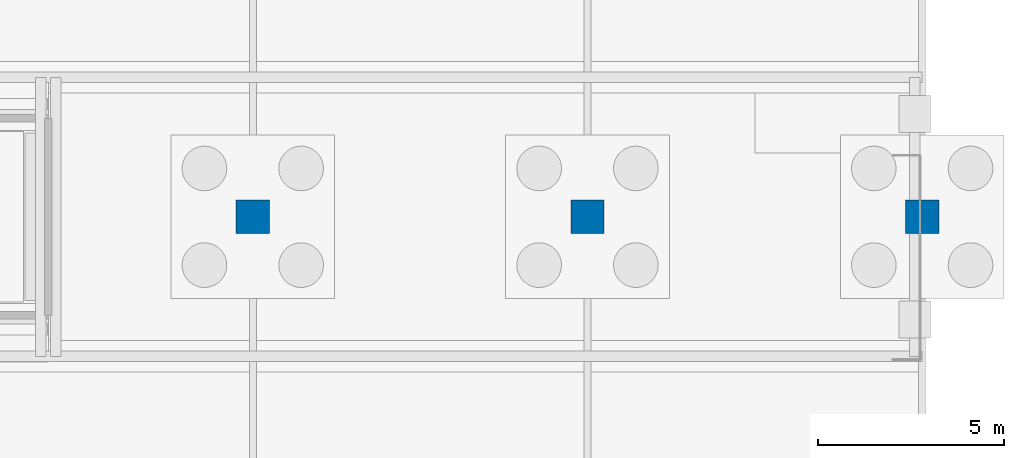
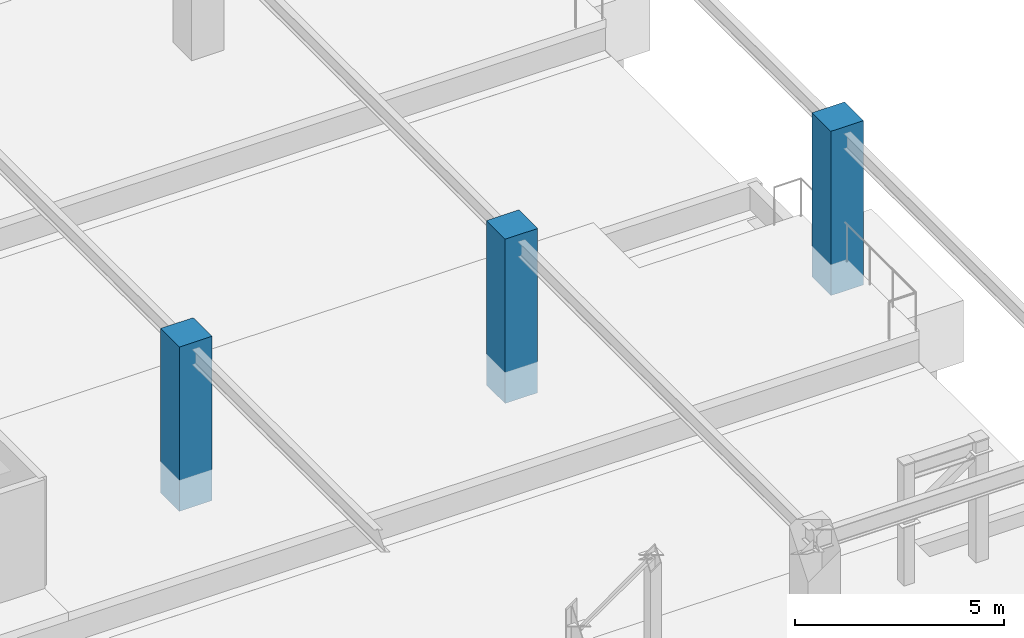
# One storey, part 31 of 160: 3 columns.
"""IFC4 building model written with IfcOpenShell, lengths in metres."""

import ifcopenshell
import ifcopenshell.guid

model = None  # the IFC model being written
_history = None  # IfcOwnerHistory: only IFC2X3 demands one
_inside = {}  # id of a spatial element -> (the spatial element, [elements in it])
_under = {}  # id of a project, library or spatial element -> (it, [spatial elements below it])
_declared = {}  # id of a project -> (the project, [libraries it declares])
_typed = {}  # id of a type object -> (the type object, [elements of that type])
_made_of = {}  # id of a material, layer set ... -> (it, [elements and type objects made of it])


def new_model(schema):
    """Start an empty IFC model of exactly this schema.

    Asked for "IFC4X3", IfcOpenShell would pick the latest addendum, in which some entities
    have other attributes; the version numbers below select the first issue.
    IFC2X3 requires an IfcOwnerHistory on every rooted entity: one is made here for all.
    """
    global model, _history
    if schema == "IFC4X3":
        model = ifcopenshell.file(schema_version=(4, 3, 0, 0))
    else:
        model = ifcopenshell.file(schema=schema)
    _inside.clear()
    _under.clear()
    _declared.clear()
    _typed.clear()
    _made_of.clear()
    _history = None
    if model.schema == "IFC2X3":
        org = make("IfcOrganization", Name="unknown")
        user = make(
            "IfcPersonAndOrganization",
            ThePerson=make("IfcPerson", FamilyName="unknown"),
            TheOrganization=org,
        )
        app = make(
            "IfcApplication",
            ApplicationDeveloper=org,
            Version="unknown",
            ApplicationFullName="unknown",
            ApplicationIdentifier="unknown",
        )
        _history = make(
            "IfcOwnerHistory",
            OwningUser=user,
            OwningApplication=app,
            ChangeAction="ADDED",
            CreationDate=0,
        )
    return model


def make(cls, **values):
    """One entity of the class cls with the attributes given. An attribute that is None is left unset."""
    return model.create_entity(
        cls, **{name: value for name, value in values.items() if value is not None}
    )


def rooted(cls, **values):
    """An entity with a GlobalId (a new one), such as an element, a storey or a relation."""
    return make(cls, GlobalId=ifcopenshell.guid.new(), OwnerHistory=_history, **values)


def si_unit(unit_type, name, prefix=None):
    """IfcSIUnit, for example si_unit("LENGTHUNIT", "METRE", prefix="MILLI")."""
    return make("IfcSIUnit", UnitType=unit_type, Prefix=prefix, Name=name)


def assignment(units):
    """IfcUnitAssignment: the units of a project."""
    return None if units is None else make("IfcUnitAssignment", Units=units)


def point(xyz):
    """IfcCartesianPoint."""
    return None if xyz is None else make("IfcCartesianPoint", Coordinates=xyz)


def direction(xyz):
    """IfcDirection."""
    return None if xyz is None else make("IfcDirection", DirectionRatios=xyz)


def frame(location, z_axis=None, x_axis=None):
    """IfcAxis2Placement3D, a coordinate frame: its origin and axes. An axis left out is left unset."""
    return make(
        "IfcAxis2Placement3D",
        Location=point(location),
        Axis=direction(z_axis),
        RefDirection=direction(x_axis),
    )


def frame_2d(location, x_axis=None):
    """IfcAxis2Placement2D, a coordinate frame in the plane: its origin and x axis."""
    return make(
        "IfcAxis2Placement2D", Location=point(location), RefDirection=direction(x_axis)
    )


def origin():
    """The frame at (0, 0, 0) with its axes left unset."""
    return frame((0.0, 0.0, 0.0))


def origin_2d():
    """The frame at (0, 0) in the plane with its x axis left unset."""
    return frame_2d((0.0, 0.0))


def place(relative_to, where):
    """IfcLocalPlacement: puts the frame where relative to a parent placement (None: the world)."""
    return make(
        "IfcLocalPlacement", PlacementRelTo=relative_to, RelativePlacement=where
    )


def context(
    kind, dimensions, precision=None, world=None, true_north=None, identifier=None
):
    """IfcGeometricRepresentationContext, for example the 3D "Model" context."""
    return make(
        "IfcGeometricRepresentationContext",
        ContextIdentifier=identifier,
        ContextType=kind,
        CoordinateSpaceDimension=dimensions,
        Precision=precision,
        WorldCoordinateSystem=world,
        TrueNorth=true_north,
    )


def subcontext(parent, identifier, kind, view, scale=None):
    """IfcGeometricRepresentationSubContext, for example "Body" below "Model"."""
    return make(
        "IfcGeometricRepresentationSubContext",
        ContextIdentifier=identifier,
        ContextType=kind,
        ParentContext=parent,
        TargetScale=scale,
        TargetView=view,
    )


def project(units=None, contexts=None):
    """IfcProject with its units and contexts."""
    return rooted(
        "IfcProject",
        Name="project",
        RepresentationContexts=contexts,
        UnitsInContext=assignment(units),
    )


def spatial(cls, under=None, at=None, **own):
    """A site, building, storey or space (cls), placed at a placement, below another one or the project."""
    s = rooted(cls, ObjectPlacement=at, **own)
    if under is not None:
        _under.setdefault(under.id(), (under, []))[1].append(s)
    return s


def profile(cls, at=None, kind="AREA", **sizes):
    """A parametric profile (cls). Its sizes go by their IFC names, for example OverallWidth=200.0."""
    return make(cls, ProfileType=kind, Position=at, **sizes)


def rectangle(**sizes):
    """IfcRectangleProfileDef."""
    return profile("IfcRectangleProfileDef", **sizes)


def extrude(swept, where, along, depth):
    """IfcExtrudedAreaSolid: the profile swept, set in the frame where, extruded along a direction by depth."""
    return make(
        "IfcExtrudedAreaSolid",
        SweptArea=swept,
        Position=where,
        ExtrudedDirection=direction(along),
        Depth=depth,
    )


def shape(context_of_items, identifier, shape_type, items):
    """IfcShapeRepresentation: the items that make up one representation, for example the "Body"."""
    return make(
        "IfcShapeRepresentation",
        ContextOfItems=context_of_items,
        RepresentationIdentifier=identifier,
        RepresentationType=shape_type,
        Items=items,
    )


def material(Name=None, Category=None):
    """IfcMaterial."""
    return make("IfcMaterial", Name=Name, Category=Category)


def material_profile(
    of_material, cross_section, Name=None, Category=None, Priority=None
):
    """IfcMaterialProfile: a cross section and its material."""
    return make(
        "IfcMaterialProfile",
        Name=Name,
        Material=of_material,
        Profile=cross_section,
        Priority=Priority,
        Category=Category,
    )


def profile_set(profiles, Name=None, composite=None):
    """IfcMaterialProfileSet."""
    return make(
        "IfcMaterialProfileSet",
        Name=Name,
        MaterialProfiles=profiles,
        CompositeProfile=composite,
    )


def made_of(thing, what):
    """Note that an element or type object is made of a material, layer set ...; save() writes the relation."""
    if what is not None:
        _made_of.setdefault(what.id(), (what, []))[1].append(thing)
    return thing


def type_object(cls, material=None, **own):
    """A type object (cls), such as IfcWallType, which elements share."""
    return made_of(rooted(cls, **own), material)


def element(
    cls,
    number,
    at=None,
    inside=None,
    cuts=None,
    type_object=None,
    material=None,
    context=None,
    identifier="Body",
    shape_type=None,
    held_by="IfcProductDefinitionShape",
    body=None,
    shapes=None,
    **own,
):
    """One element of the class cls, such as IfcWall. Its Tag is "e" and its number.

    at: its placement. inside: the storey or other place that contains it. cuts: it is an
    opening in that element (IfcRelVoidsElement). A single representation is given by context,
    identifier, shape_type and body (its items); several are given by shapes. held_by: the class
    of the entity that holds the representations. save() writes the other relations.
    """
    e = rooted(cls, Tag="e%d" % number, ObjectPlacement=at, **own)
    if body is not None:
        shapes = [shape(context, identifier, shape_type, body)]
    if shapes is not None:
        e.Representation = make(held_by, Representations=shapes)
    if inside is not None:
        _inside.setdefault(inside.id(), (inside, []))[1].append(e)
    if cuts is not None:
        rooted(
            "IfcRelVoidsElement", RelatingBuildingElement=cuts, RelatedOpeningElement=e
        )
    if type_object is not None:
        _typed.setdefault(type_object.id(), (type_object, []))[1].append(e)
    return made_of(e, material)


def aggregate(whole, parts):
    """IfcRelAggregates: a whole, such as a stair, and the parts it consists of."""
    return rooted("IfcRelAggregates", RelatingObject=whole, RelatedObjects=parts)


def save(model, path):
    """Write the relations noted so far, then the file.

    IfcRelAggregates (storeys below a building ...), IfcRelContainedInSpatialStructure (elements
    in a storey), IfcRelDefinesByType, IfcRelAssociatesMaterial and IfcRelDeclares: one each for
    every whole, place, type object, material and project.
    """
    for whole, parts in _under.values():
        aggregate(whole, parts)
    for where, things in _inside.values():
        rooted(
            "IfcRelContainedInSpatialStructure",
            RelatedElements=things,
            RelatingStructure=where,
        )
    for kind, things in _typed.values():
        rooted("IfcRelDefinesByType", RelatedObjects=things, RelatingType=kind)
    for what, things in _made_of.values():
        rooted("IfcRelAssociatesMaterial", RelatedObjects=things, RelatingMaterial=what)
    for by, libraries in _declared.values():
        rooted("IfcRelDeclares", RelatingContext=by, RelatedDefinitions=libraries)
    model.write(path)


model = new_model("IFC4")

# Units and contexts
model_context = context("Model", 3, precision=1e-05, world=origin(), true_north=direction((0.0, 1.0)))
body_context = subcontext(model_context, "Body", "Model", "MODEL_VIEW")
ifc_project = project(units=[si_unit("LENGTHUNIT", "METRE"), si_unit("AREAUNIT", "SQUARE_METRE"), si_unit("VOLUMEUNIT", "CUBIC_METRE"), si_unit("PLANEANGLEUNIT", "RADIAN"), si_unit("MASSUNIT", "GRAM", prefix="KILO")], contexts=[model_context])

# Site, building, storey
site_placement = place(None, origin())
site = spatial("IfcSite", under=ifc_project, at=site_placement, CompositionType="ELEMENT")
building_placement = place(site_placement, origin())
building = spatial("IfcBuilding", under=site, at=building_placement, Name="Marlcrest Central Station", CompositionType="ELEMENT")
storey_placement = place(building_placement, origin())
storey = spatial("IfcBuildingStorey", under=building, at=storey_placement, Name="L00", CompositionType="ELEMENT", Elevation=0.0)

# Columns
ifc_material = material(Name="Concrete C50/60", Category="concrete")
ifc_material_profile = material_profile(ifc_material, rectangle(XDim=0.89990234375, YDim=0.89990234375, at=origin_2d()), Name="RC 900x900")
ifc_profile_set = profile_set([ifc_material_profile], Name="Concrete C50/60")
column_type = type_object("IfcColumnType", Name="RC-08", PredefinedType="COLUMN", material=ifc_profile_set)
for number, where, z_axis, x_axis, name in (
    (1, (198.0, 51.0, 0.0), (0.0, 0.0, 1.0), (1.0, 0.0, 0.0), "col-RC-08-L00-0580"),
    (2, (207.0, 51.0, 0.0), (0.0, 0.0, 1.0), (1.0, 0.0, 0.0), "col-RC-08-L00-0591"),
    (3, (216.0, 51.0, 0.0), (0.0, 0.0, 1.0), (1.0, 0.0, 0.0), "col-RC-08-L00-0602"),
):
    element("IfcColumn", number, at=place(storey_placement, frame(where, z_axis=z_axis, x_axis=x_axis)), inside=storey, type_object=column_type, Name=name, PredefinedType="COLUMN", context=body_context, shape_type="SweptSolid", body=[
        extrude(rectangle(XDim=0.89990234375, YDim=0.89990234375, at=origin_2d()), origin(), (0.0, 0.0, 1.0), 4.800048828125),
    ])

save(model, "model.ifc")
